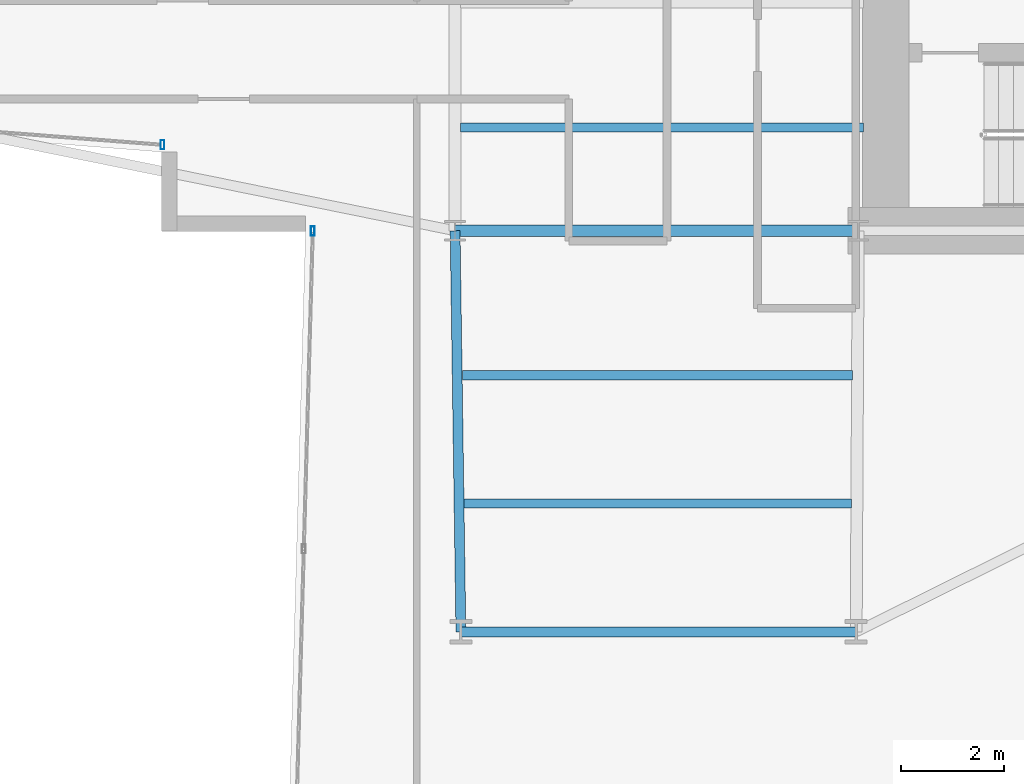
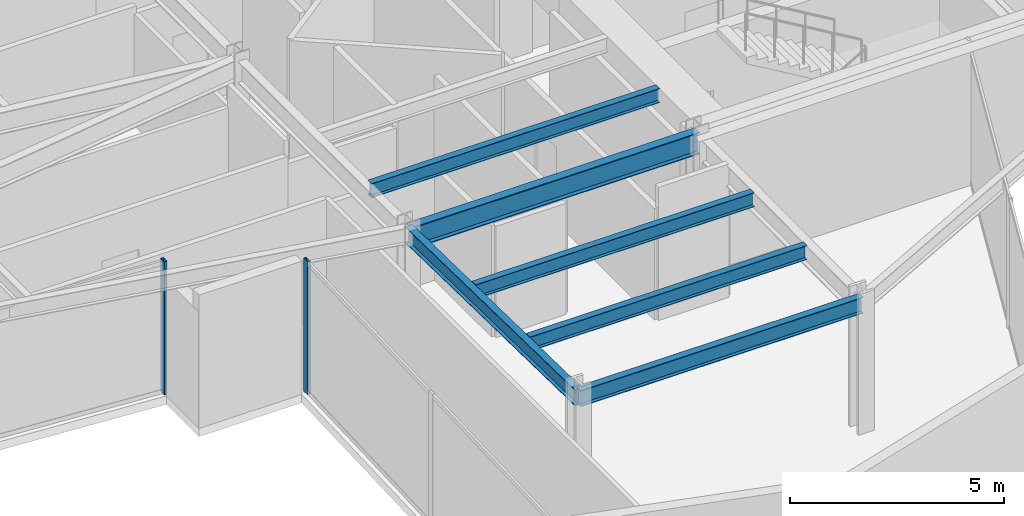
# One storey, part 5 of 30: 6 beams, 2 members, 2 elements without a shape of their own.
"""IFC4 building model written with IfcOpenShell, lengths in metres."""

from ifc_helpers import new_model, si_unit, direction, frame, origin, origin_2d, place, context, subcontext, project, spatial, hollow_rectangle, i_section, extrude, material, layer, layer_set, material_profile, profile_set, type_object, element, aggregate, save


model = new_model("IFC4")

# Units and contexts
model_context = context("Model", 3, precision=1e-05, world=origin(), true_north=direction((0.0, 1.0)))
body_context = subcontext(model_context, "Body", "Model", "MODEL_VIEW")
ifc_project = project(units=[si_unit("LENGTHUNIT", "METRE"), si_unit("AREAUNIT", "SQUARE_METRE"), si_unit("VOLUMEUNIT", "CUBIC_METRE"), si_unit("PLANEANGLEUNIT", "RADIAN"), si_unit("MASSUNIT", "GRAM", prefix="KILO")], contexts=[model_context])

# Site, building, storey
site_placement = place(None, origin())
site = spatial("IfcSite", under=ifc_project, at=site_placement, CompositionType="ELEMENT")
building_placement = place(site_placement, origin())
building = spatial("IfcBuilding", under=site, at=building_placement, Name="Veymaron Broadcast Tower", CompositionType="ELEMENT")
storey_placement = place(building_placement, frame((0.0, 0.0, 54.0)))
storey = spatial("IfcBuildingStorey", under=building, at=storey_placement, Name="L11", CompositionType="ELEMENT", Elevation=54.0)

# Beams
ifc_material_1 = material(Name="Structural steel ASTM A992 Gr 50", Category="steel")
ifc_material_profile_1 = material_profile(ifc_material_1, i_section(OverallWidth=0.22998046875, OverallDepth=0.616943359375, WebThickness=0.01318359375, FlangeThickness=0.022216796875, at=origin_2d()), Name="W610X140")
ifc_profile_set_1 = profile_set([ifc_material_profile_1], Name="Structural steel ASTM A992 Gr 50")
beam_type_1 = type_object("IfcBeamType", Name="BM-FG1", PredefinedType="BEAM", material=ifc_profile_set_1)
beam_1_placement = place(storey_placement, frame((31.199951171875, 16.0, 3.50146484375), z_axis=(1.0, 0.0, 0.0), x_axis=(0.0, 1.0, 0.0)))
element("IfcBeam", 1, at=beam_1_placement, inside=storey, type_object=beam_type_1, Name="L11 primary structural floor girder", PredefinedType="BEAM", context=body_context, shape_type="SweptSolid", body=[
    extrude(i_section(OverallWidth=0.22998046875, OverallDepth=0.616943359375, WebThickness=0.01318359375, FlangeThickness=0.022216796875, at=origin_2d()), origin(), (0.0, 0.0, 1.0), 7.800048828125),
])
ifc_material_profile_2 = material_profile(ifc_material_1, i_section(OverallWidth=0.177978515625, OverallDepth=0.406982421875, WebThickness=0.0078125, FlangeThickness=0.0126953125, at=origin_2d()), Name="W410X60")
ifc_profile_set_2 = profile_set([ifc_material_profile_2], Name="Structural steel ASTM A992 Gr 50")
beam_type_2 = type_object("IfcBeamType", Name="BM-JS1", PredefinedType="JOIST", material=ifc_profile_set_2)
beam_2_placement = place(storey_placement, frame((31.34033203125, 13.206298828125, 3.6064453125), z_axis=(1.0, 0.0, 0.0), x_axis=(0.0, 1.0, 0.0)))
element("IfcBeam", 2, at=beam_2_placement, inside=storey, type_object=beam_type_2, Name="L11 Arm-C secondary joist 1", PredefinedType="JOIST", context=body_context, shape_type="SweptSolid", body=[
    extrude(i_section(OverallWidth=0.177978515625, OverallDepth=0.406982421875, WebThickness=0.0078125, FlangeThickness=0.0126953125, at=origin_2d()), origin(), (0.0, 0.0, 1.0), 7.545166015625),
])
beam_3_placement = place(storey_placement, frame((31.376220703125, 10.72314453125, 3.6064453125), z_axis=(1.0, 0.0, 0.0), x_axis=(0.0, 1.0, 0.0)))
element("IfcBeam", 3, at=beam_3_placement, inside=storey, type_object=beam_type_2, Name="L11 Arm-C secondary joist 2", PredefinedType="JOIST", context=body_context, shape_type="SweptSolid", body=[
    extrude(i_section(OverallWidth=0.177978515625, OverallDepth=0.406982421875, WebThickness=0.0078125, FlangeThickness=0.0126953125, at=origin_2d()), origin(), (0.0, 0.0, 1.0), 7.49658203125),
])
beam_4_placement = place(storey_placement, frame((31.300048828125, 18.0, 3.6064453125), z_axis=(1.0, 0.0, 0.0), x_axis=(0.0, 1.0, 0.0)))
element("IfcBeam", 4, at=beam_4_placement, inside=storey, type_object=beam_type_2, Name="L11 Hub secondary joist 1", PredefinedType="JOIST", context=body_context, shape_type="SweptSolid", body=[
    extrude(i_section(OverallWidth=0.177978515625, OverallDepth=0.406982421875, WebThickness=0.0078125, FlangeThickness=0.0126953125, at=origin_2d()), origin(), (0.0, 0.0, 1.0), 7.800048828125),
])
ifc_material_profile_3 = material_profile(ifc_material_1, i_section(OverallWidth=0.19091796875, OverallDepth=0.4599609375, WebThickness=0.010009765625, FlangeThickness=0.01611328125, at=origin_2d()), Name="W460X82")
ifc_profile_set_3 = profile_set([ifc_material_profile_3], Name="Structural steel ASTM A992 Gr 50")
beam_type_3 = type_object("IfcBeamType", Name="BM-SP1", PredefinedType="SPANDREL", material=ifc_profile_set_3)
beam_5_placement = place(storey_placement, frame((31.199951171875, 16.0, 3.580078125), z_axis=(0.014439268475, -0.999895748329, 0.0), x_axis=(0.999895748329, 0.014439268475, 0.0)))
element("IfcBeam", 5, at=beam_5_placement, inside=storey, type_object=beam_type_3, Name="L11 primary structural floor girder", PredefinedType="SPANDREL", context=body_context, shape_type="SweptSolid", body=[
    extrude(i_section(OverallWidth=0.19091796875, OverallDepth=0.4599609375, WebThickness=0.010009765625, FlangeThickness=0.01611328125, at=origin_2d()), origin(), (0.0, 0.0, 1.0), 7.7607421875),
])
beam_6_placement = place(storey_placement, frame((31.31201171875, 8.239990234375, 3.580078125), z_axis=(1.0, 0.0, 0.0), x_axis=(0.0, 1.0, 0.0)))
element("IfcBeam", 6, at=beam_6_placement, inside=storey, type_object=beam_type_3, Name="L11 primary structural floor girder", PredefinedType="SPANDREL", context=body_context, shape_type="SweptSolid", body=[
    extrude(i_section(OverallWidth=0.19091796875, OverallDepth=0.4599609375, WebThickness=0.010009765625, FlangeThickness=0.01611328125, at=origin_2d()), origin(), (0.0, 0.0, 1.0), 7.64794921875),
])

# Curtain wall, member
ifc_material_2 = material(Name="Anodised aluminium AA 6063-T6 and laminated low-E dark glass", Category="aluminium")
ifc_layer = layer(ifc_material_2, 0.179931640625)
ifc_layer_set = layer_set([ifc_layer], Name="Anodised aluminium AA 6063-T6 and laminated low-E dark glass")
curtain_wall_type = type_object("IfcCurtainWallType", Name="CW-SYS-02", PredefinedType="NOTDEFINED", material=ifc_layer_set)
curtain_wall_1_placement = place(storey_placement, origin())
curtain_wall_1 = element("IfcCurtainWall", 7, at=curtain_wall_1_placement, inside=storey, type_object=curtain_wall_type, Name="L11 dark-glass curtain wall CW-L11-E14-1", PredefinedType="NOTDEFINED")
ifc_material_3 = material(Name="Anodised aluminium AA 6063-T6", Category="aluminium")
ifc_material_profile_4 = material_profile(ifc_material_3, hollow_rectangle(XDim=0.074951171875, YDim=0.179931640625, WallThickness=0.0048828125, at=origin_2d()), Name="AL180X75X5")
ifc_profile_set_4 = profile_set([ifc_material_profile_4], Name="Anodised aluminium AA 6063-T6")
member_type = type_object("IfcMemberType", Name="CW-MUL-02", PredefinedType="MULLION", material=ifc_profile_set_4)
member_1_placement = place(storey_placement, frame((25.538818359375, 17.66357421875, 0.0), z_axis=(0.0, 0.0, 1.0), x_axis=(1.0, 0.0, 0.0)))
member_1 = element("IfcMember", 8, at=member_1_placement, type_object=member_type, Name="CW-L11-E14-1 mullion 3", PredefinedType="MULLION", context=body_context, shape_type="SweptSolid", body=[
    extrude(hollow_rectangle(XDim=0.074951171875, YDim=0.179931640625, WallThickness=0.0048828125, at=origin_2d()), origin(), (0.0, 0.0, 1.0), 3.81005859375),
])
aggregate(curtain_wall_1, [member_1])

curtain_wall_2_placement = place(storey_placement, origin())
curtain_wall_2 = element("IfcCurtainWall", 9, at=curtain_wall_2_placement, inside=storey, type_object=curtain_wall_type, Name="L11 dark-glass curtain wall CW-L11-E17-1", PredefinedType="NOTDEFINED")
member_2_placement = place(storey_placement, frame((28.4453125, 15.99609375, 0.0), z_axis=(0.0, 0.0, 1.0), x_axis=(1.0, 0.0, 0.0)))
member_2 = element("IfcMember", 10, at=member_2_placement, type_object=member_type, Name="CW-L11-E17-1 mullion 0", PredefinedType="MULLION", context=body_context, shape_type="SweptSolid", body=[
    extrude(hollow_rectangle(XDim=0.074951171875, YDim=0.179931640625, WallThickness=0.0048828125, at=origin_2d()), origin(), (0.0, 0.0, 1.0), 3.81005859375),
])
aggregate(curtain_wall_2, [member_2])

save(model, "model.ifc")
